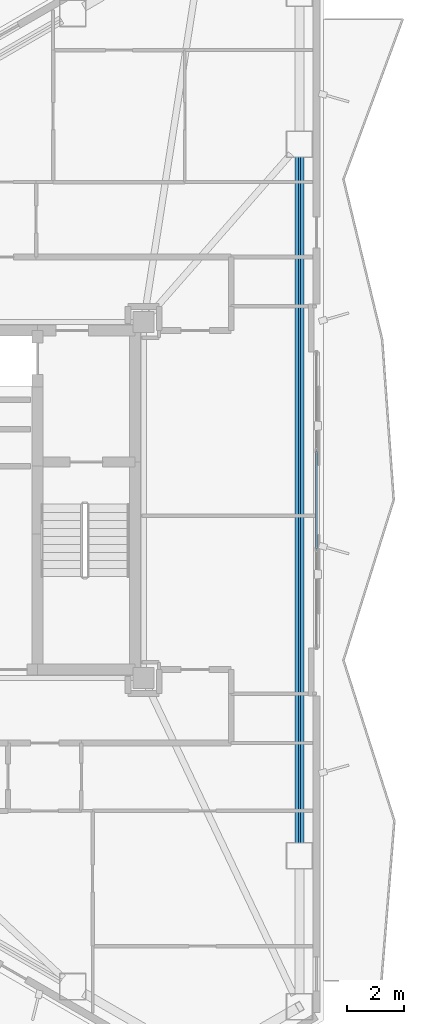
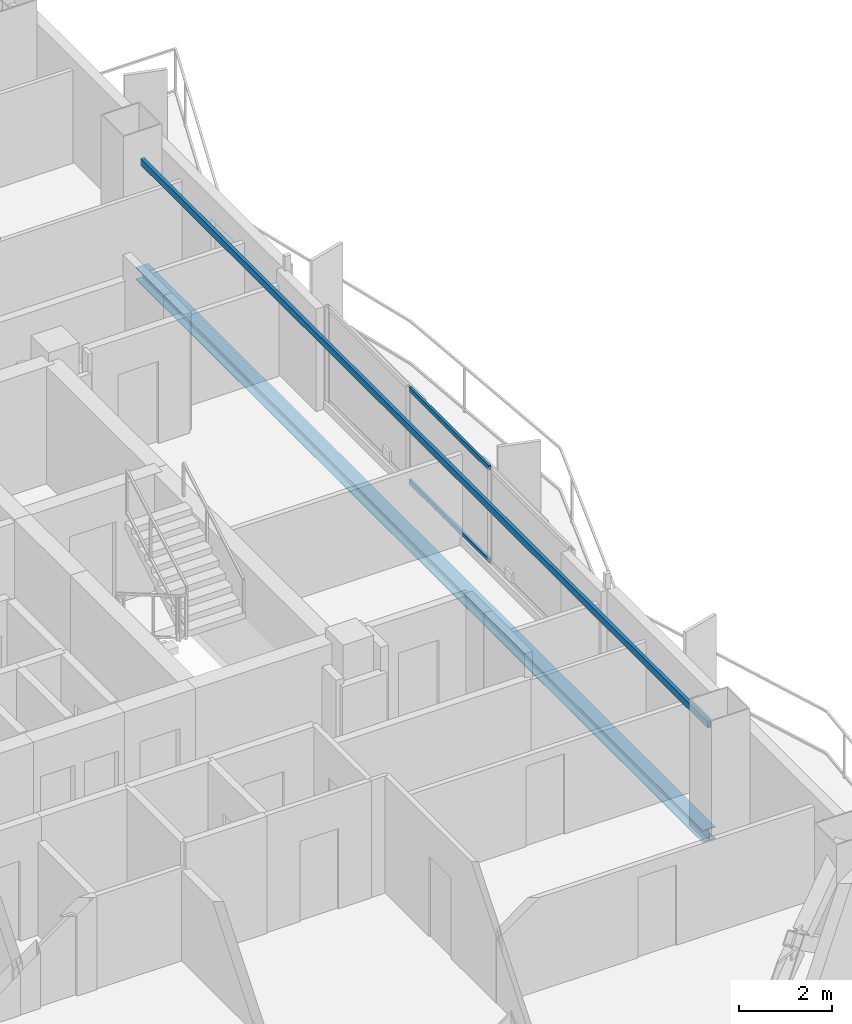
# One storey, part 8 of 19: 2 beams, 2 members, 1 element without a shape of its own.
"""IFC4 building model written with IfcOpenShell, lengths in metres."""

from ifc_helpers import new_model, si_unit, direction, frame, origin, origin_2d, place, context, subcontext, project, spatial, hollow_rectangle, i_section, extrude, material, layer, layer_set, material_profile, profile_set, type_object, element, aggregate, save


model = new_model("IFC4")

# Units and contexts
model_context = context("Model", 3, precision=1e-05, world=origin(), true_north=direction((0.0, 1.0)))
body_context = subcontext(model_context, "Body", "Model", "MODEL_VIEW")
ifc_project = project(units=[si_unit("LENGTHUNIT", "METRE"), si_unit("AREAUNIT", "SQUARE_METRE"), si_unit("VOLUMEUNIT", "CUBIC_METRE"), si_unit("PLANEANGLEUNIT", "RADIAN"), si_unit("MASSUNIT", "GRAM", prefix="KILO")], contexts=[model_context])

# Site, building, storey
site_placement = place(None, origin())
site = spatial("IfcSite", under=ifc_project, at=site_placement, CompositionType="ELEMENT")
building_placement = place(site_placement, origin())
building = spatial("IfcBuilding", under=site, at=building_placement, Name="Mersakhor Tower and Convention Hall", CompositionType="ELEMENT")
storey_placement = place(building_placement, frame((0.0, 0.0, 144.300048828125)))
storey = spatial("IfcBuildingStorey", under=building, at=storey_placement, Name="L40", CompositionType="ELEMENT", Elevation=144.300048828125)

# Beams
ifc_material_1 = material(Name="Steel S355", Category="steel")
ifc_material_profile_1 = material_profile(ifc_material_1, hollow_rectangle(XDim=0.080078125, YDim=0.179931640625, WallThickness=0.008056640625, at=origin_2d()), Name="RHS 180x80x8")
ifc_profile_set_1 = profile_set([ifc_material_profile_1], Name="Steel S355")
beam_type_1 = type_object("IfcBeamType", Name="BM-GRT-RHS180", PredefinedType="USERDEFINED", material=ifc_profile_set_1)
beam_1_placement = place(storey_placement, frame((41.619140625, 38.8837890625, 2.47998046875), z_axis=(0.0, -1.0, 0.0), x_axis=(1.0, 0.0, 0.0)))
element("IfcBeam", 1, at=beam_1_placement, inside=storey, type_object=beam_type_1, Name="L40 Facade Support Girt GRT-F2", ObjectType="GIRT", PredefinedType="USERDEFINED", context=body_context, shape_type="SweptSolid", body=[
    extrude(hollow_rectangle(XDim=0.080078125, YDim=0.179931640625, WallThickness=0.008056640625, at=origin_2d()), origin(), (0.0, 0.0, 1.0), 24.267578125),
])
ifc_material_2 = material(Name="Steel S355", Category="steel")
ifc_material_profile_2 = material_profile(ifc_material_2, i_section(OverallWidth=0.30908203125, OverallDepth=0.320556640625, WebThickness=0.013916015625, FlangeThickness=0.021728515625, at=origin_2d()), Name="UC 305x305x137")
ifc_profile_set_2 = profile_set([ifc_material_profile_2], Name="Steel S355")
beam_type_2 = type_object("IfcBeamType", Name="BM-SPD-UC305", PredefinedType="SPANDREL", material=ifc_profile_set_2)
beam_2_placement = place(storey_placement, frame((41.619140625, 38.8837890625, -0.400146484375), z_axis=(0.0, -1.0, 0.0), x_axis=(1.0, 0.0, 0.0)))
element("IfcBeam", 2, at=beam_2_placement, inside=storey, type_object=beam_type_2, Name="L40 Perimeter Spandrel Beam SPB-06", PredefinedType="SPANDREL", context=body_context, shape_type="SweptSolid", body=[
    extrude(i_section(OverallWidth=0.30908203125, OverallDepth=0.320556640625, WebThickness=0.013916015625, FlangeThickness=0.021728515625, at=origin_2d()), origin(), (0.0, 0.0, 1.0), 24.267578125),
])

# Curtain wall, members
ifc_material_3 = material(Name="Dark solar low-E aluminium curtain wall", Category="aluminium")
ifc_layer = layer(ifc_material_3, 0.169921875)
ifc_layer_set = layer_set([ifc_layer], Name="Dark solar low-E aluminium curtain wall")
curtain_wall_type = type_object("IfcCurtainWallType", Name="CW-SYS-02", PredefinedType="USERDEFINED", material=ifc_layer_set)
curtain_wall_placement = place(storey_placement, origin())
curtain_wall = element("IfcCurtainWall", 3, at=curtain_wall_placement, inside=storey, type_object=curtain_wall_type, Name="L40 Dark-Glass Curtain Wall F2-B2", ObjectType="CURTAIN WALL", PredefinedType="USERDEFINED")
ifc_material_4 = material(Name="Anodised aluminium EN AW-6063 T6", Category="aluminium")
ifc_material_profile_3 = material_profile(ifc_material_4, hollow_rectangle(XDim=0.06005859375, YDim=0.1201171875, WallThickness=0.0048828125, at=origin_2d()), Name="RHS 120x60x5")
ifc_profile_set_3 = profile_set([ifc_material_profile_3], Name="Anodised aluminium EN AW-6063 T6")
member_type = type_object("IfcMemberType", Name="CWT-120x60", PredefinedType="USERDEFINED", material=ifc_profile_set_3)
member_1_placement = place(storey_placement, frame((42.21923828125, 28.460205078125, 0.22998046875), z_axis=(0.0, -1.0, 0.0), x_axis=(1.0, 0.0, 0.0)))
member_1 = element("IfcMember", 4, at=member_1_placement, type_object=member_type, Name="CW-02 transom 2.1", ObjectType="TRANSOM", PredefinedType="USERDEFINED", context=body_context, shape_type="SweptSolid", body=[
    extrude(hollow_rectangle(XDim=0.06005859375, YDim=0.1201171875, WallThickness=0.0048828125, at=origin_2d()), origin(), (0.0, 0.0, 1.0), 3.42041015625),
])
member_2_placement = place(storey_placement, frame((42.21923828125, 28.460205078125, 2.64990234375), z_axis=(0.0, -1.0, 0.0), x_axis=(1.0, 0.0, 0.0)))
member_2 = element("IfcMember", 5, at=member_2_placement, type_object=member_type, Name="CW-02 transom 2.2", ObjectType="TRANSOM", PredefinedType="USERDEFINED", context=body_context, shape_type="SweptSolid", body=[
    extrude(hollow_rectangle(XDim=0.06005859375, YDim=0.1201171875, WallThickness=0.0048828125, at=origin_2d()), origin(), (0.0, 0.0, 1.0), 3.42041015625),
])
aggregate(curtain_wall, [member_1, member_2])

save(model, "model.ifc")
